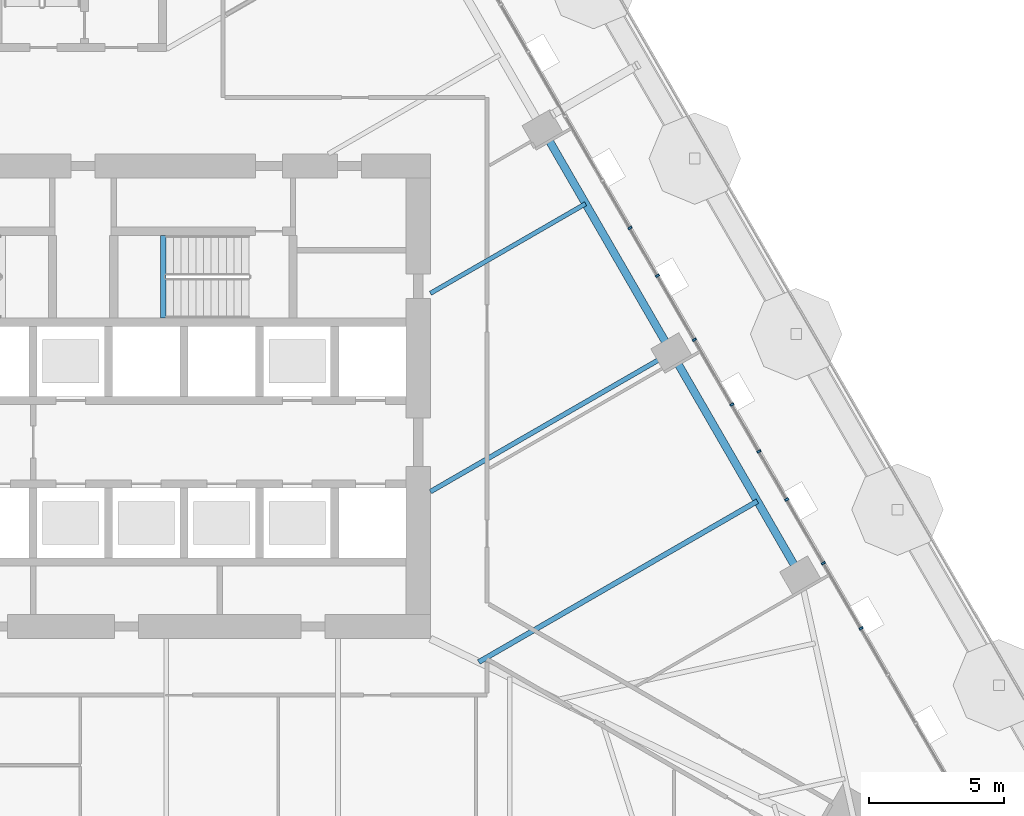
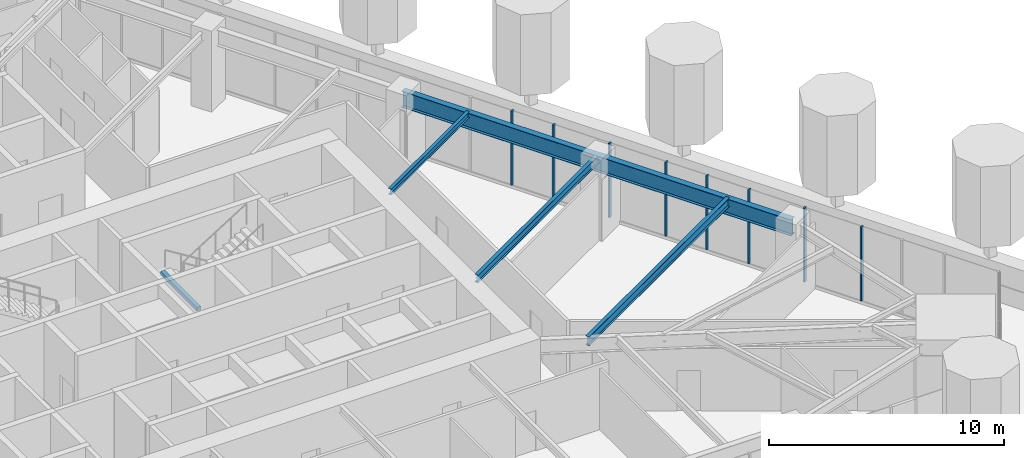
# One storey, part 6 of 26: 8 members, 5 beams, 1 element without a shape of its own.
"""IFC4 building model written with IfcOpenShell, lengths in metres."""

from ifc_helpers import new_model, si_unit, direction, frame, origin, origin_2d, place, context, subcontext, project, spatial, rectangle, i_section, extrude, material, layer, layer_set, material_profile, profile_set, type_object, element, aggregate, save


model = new_model("IFC4")

# Units and contexts
model_context = context("Model", 3, precision=1e-05, world=origin(), true_north=direction((0.0, 1.0)))
body_context = subcontext(model_context, "Body", "Model", "MODEL_VIEW")
ifc_project = project(units=[si_unit("LENGTHUNIT", "METRE"), si_unit("AREAUNIT", "SQUARE_METRE"), si_unit("VOLUMEUNIT", "CUBIC_METRE"), si_unit("PLANEANGLEUNIT", "RADIAN"), si_unit("MASSUNIT", "GRAM", prefix="KILO")], contexts=[model_context])

# Site, building, storey
site_placement = place(None, origin())
site = spatial("IfcSite", under=ifc_project, at=site_placement, CompositionType="ELEMENT")
building_placement = place(site_placement, origin())
building = spatial("IfcBuilding", under=site, at=building_placement, Name="Firuza Gate Tower and Library", CompositionType="ELEMENT")
storey_placement = place(building_placement, frame((0.0, 0.0, 52.60009765625)))
storey = spatial("IfcBuildingStorey", under=building, at=storey_placement, Name="L11", CompositionType="ELEMENT", Elevation=52.60009765625)

# Curtain wall, members
ifc_material_1 = material(Name="Aluminium 6063-T6", Category="aluminium")
ifc_layer = layer(ifc_material_1, 0.14990234375)
ifc_layer_set = layer_set([ifc_layer], Name="Unitised curtain wall, offices")
curtain_wall_type = type_object("IfcCurtainWallType", Name="Unitised curtain wall, offices", PredefinedType="NOTDEFINED", material=ifc_layer_set)
curtain_wall_placement = place(storey_placement, origin())
curtain_wall = element("IfcCurtainWall", 1, at=curtain_wall_placement, inside=storey, type_object=curtain_wall_type, Name="CW1 L11 E face", PredefinedType="NOTDEFINED")
ifc_material_2 = material(Name="Aluminium 6063-T6", Category="aluminium")
ifc_material_profile_1 = material_profile(ifc_material_2, rectangle(XDim=0.14990234375, YDim=0.080078125, at=origin_2d()))
ifc_profile_set_1 = profile_set([ifc_material_profile_1], Name="Aluminium 6063-T6")
member_type = type_object("IfcMemberType", Name="Curtain wall mullion 80x150", PredefinedType="MULLION", material=ifc_profile_set_1)
member_1_placement = place(storey_placement, frame((102.597412109375, 68.805419921875, 0.14990234375), z_axis=(0.0, 0.0, 1.0), x_axis=(-0.866025403784, -0.5, 0.0)))
member_1 = element("IfcMember", 2, at=member_1_placement, type_object=member_type, Name="Mullion", PredefinedType="MULLION", context=body_context, shape_type="SweptSolid", body=[
    extrude(rectangle(XDim=0.14990234375, YDim=0.080078125, at=origin_2d()), origin(), (0.0, 0.0, 1.0), 3.85009765625),
])
member_2_placement = place(storey_placement, frame((100.2021484375, 72.95458984375, 0.14990234375), z_axis=(0.0, 0.0, 1.0), x_axis=(-0.866025403784, -0.5, 0.0)))
member_2 = element("IfcMember", 3, at=member_2_placement, type_object=member_type, Name="Mullion", PredefinedType="MULLION", context=body_context, shape_type="SweptSolid", body=[
    extrude(rectangle(XDim=0.14990234375, YDim=0.080078125, at=origin_2d()), origin(), (0.0, 0.0, 1.0), 3.85009765625),
])
member_3_placement = place(storey_placement, frame((97.806640625, 77.103515625, 0.14990234375), z_axis=(0.0, 0.0, 1.0), x_axis=(-0.866025403784, -0.5, 0.0)))
member_3 = element("IfcMember", 4, at=member_3_placement, type_object=member_type, Name="Mullion", PredefinedType="MULLION", context=body_context, shape_type="SweptSolid", body=[
    extrude(rectangle(XDim=0.14990234375, YDim=0.080078125, at=origin_2d()), origin(), (0.0, 0.0, 1.0), 3.85009765625),
])
member_4_placement = place(storey_placement, frame((95.4111328125, 81.25244140625, 0.14990234375), z_axis=(0.0, 0.0, 1.0), x_axis=(-0.866025403784, -0.5, 0.0)))
member_4 = element("IfcMember", 5, at=member_4_placement, type_object=member_type, Name="Mullion", PredefinedType="MULLION", context=body_context, shape_type="SweptSolid", body=[
    extrude(rectangle(XDim=0.14990234375, YDim=0.080078125, at=origin_2d()), origin(), (0.0, 0.0, 1.0), 3.85009765625),
])
member_5_placement = place(storey_placement, frame((103.9970703125, 66.38134765625, 0.14990234375), z_axis=(0.0, 0.0, 1.0), x_axis=(-0.866025403784, -0.5, 0.0)))
member_5 = element("IfcMember", 6, at=member_5_placement, type_object=member_type, Name="Mullion", PredefinedType="MULLION", context=body_context, shape_type="SweptSolid", body=[
    extrude(rectangle(XDim=0.14990234375, YDim=0.080078125, at=origin_2d()), origin(), (0.0, 0.0, 1.0), 3.85009765625),
])
member_6_placement = place(storey_placement, frame((101.234619140625, 71.166015625, 0.14990234375), z_axis=(0.0, 0.0, 1.0), x_axis=(-0.866025403784, -0.5, 0.0)))
member_6 = element("IfcMember", 7, at=member_6_placement, type_object=member_type, Name="Mullion", PredefinedType="MULLION", context=body_context, shape_type="SweptSolid", body=[
    extrude(rectangle(XDim=0.14990234375, YDim=0.080078125, at=origin_2d()), origin(), (0.0, 0.0, 1.0), 3.85009765625),
])
member_7_placement = place(storey_placement, frame((99.197021484375, 74.6953125, 0.14990234375), z_axis=(0.0, 0.0, 1.0), x_axis=(-0.866025403784, -0.5, 0.0)))
member_7 = element("IfcMember", 8, at=member_7_placement, type_object=member_type, Name="Mullion", PredefinedType="MULLION", context=body_context, shape_type="SweptSolid", body=[
    extrude(rectangle(XDim=0.14990234375, YDim=0.080078125, at=origin_2d()), origin(), (0.0, 0.0, 1.0), 3.85009765625),
])
member_8_placement = place(storey_placement, frame((96.4345703125, 79.47998046875, 0.14990234375), z_axis=(0.0, 0.0, 1.0), x_axis=(-0.866025403784, -0.5, 0.0)))
member_8 = element("IfcMember", 9, at=member_8_placement, type_object=member_type, Name="Mullion", PredefinedType="MULLION", context=body_context, shape_type="SweptSolid", body=[
    extrude(rectangle(XDim=0.14990234375, YDim=0.080078125, at=origin_2d()), origin(), (0.0, 0.0, 1.0), 3.85009765625),
])
aggregate(curtain_wall, [member_1, member_2, member_3, member_4, member_5, member_6, member_7, member_8])

# Beams
ifc_material_3 = material(Name="Concrete C35/45", Category="concrete")
ifc_material_profile_2 = material_profile(ifc_material_3, rectangle(XDim=0.199951171875, YDim=0.199951171875, at=origin_2d()))
ifc_profile_set_2 = profile_set([ifc_material_profile_2], Name="Concrete C35/45")
beam_type_1 = type_object("IfcBeamType", Name="Stair landing bearer 200x200", PredefinedType="BEAM", material=ifc_profile_set_2)
beam_1_placement = place(storey_placement, frame((78.080078125, 80.97998046875, 1.7998046875), z_axis=(0.0, -1.0, 0.0), x_axis=(1.0, 0.0, 0.0)))
element("IfcBeam", 10, at=beam_1_placement, inside=storey, type_object=beam_type_1, Name="Landing bearer L11 stair 2", PredefinedType="BEAM", context=body_context, shape_type="SweptSolid", body=[
    extrude(rectangle(XDim=0.199951171875, YDim=0.199951171875, at=origin_2d()), origin(), (0.0, 0.0, 1.0), 3.080078125),
])
ifc_material_4 = material(Name="Steel S355", Category="steel")
ifc_material_profile_3 = material_profile(ifc_material_4, i_section(OverallWidth=0.1650390625, OverallDepth=0.31005859375, WebThickness=0.005859375, FlangeThickness=0.009765625, at=origin_2d()))
ifc_profile_set_3 = profile_set([ifc_material_profile_3], Name="Steel S355")
beam_type_2 = type_object("IfcBeamType", Name="W310x39 Floor beam", PredefinedType="JOIST", material=ifc_profile_set_3)
beam_2_placement = place(storey_placement, frame((93.765869140625, 82.152099609375, 3.844970703125), z_axis=(-0.866029870483, -0.499992263371, 0.0), x_axis=(0.499992263371, -0.866029870483, 0.0)))
element("IfcBeam", 11, at=beam_2_placement, inside=storey, type_object=beam_type_2, Name="Floor beam L11 s52", PredefinedType="JOIST", context=body_context, shape_type="SweptSolid", body=[
    extrude(i_section(OverallWidth=0.1650390625, OverallDepth=0.31005859375, WebThickness=0.005859375, FlangeThickness=0.009765625, at=origin_2d()), origin(), (0.0, 0.0, 1.0), 6.65771484375),
])
ifc_material_5 = material(Name="Steel S355", Category="steel")
ifc_material_profile_4 = material_profile(ifc_material_5, i_section(OverallWidth=0.177978515625, OverallDepth=0.406982421875, WebThickness=0.0078125, FlangeThickness=0.0126953125, at=origin_2d()))
ifc_profile_set_4 = profile_set([ifc_material_profile_4], Name="Steel S355")
beam_type_3 = type_object("IfcBeamType", Name="W410x60 Floor beam", PredefinedType="JOIST", material=ifc_profile_set_4)
beam_3_placement = place(storey_placement, frame((96.955078125, 76.62841796875, 3.79638671875), z_axis=(-0.866027528992, -0.499996319015, 0.0), x_axis=(0.499996319015, -0.866027528992, 0.0)))
element("IfcBeam", 12, at=beam_3_placement, inside=storey, type_object=beam_type_3, Name="Floor beam L11 s51", PredefinedType="JOIST", context=body_context, shape_type="SweptSolid", body=[
    extrude(i_section(OverallWidth=0.177978515625, OverallDepth=0.406982421875, WebThickness=0.0078125, FlangeThickness=0.0126953125, at=origin_2d()), origin(), (0.0, 0.0, 1.0), 10.34033203125),
])
ifc_material_6 = material(Name="Steel S355", Category="steel")
ifc_material_profile_5 = material_profile(ifc_material_6, i_section(OverallWidth=0.18994140625, OverallDepth=0.45703125, WebThickness=0.009033203125, FlangeThickness=0.014404296875, at=origin_2d()))
ifc_profile_set_5 = profile_set([ifc_material_profile_5], Name="Steel S355")
beam_type_4 = type_object("IfcBeamType", Name="W460x74 Floor beam", PredefinedType="JOIST", material=ifc_profile_set_5)
beam_4_placement = place(storey_placement, frame((100.14404296875, 71.104736328125, 3.771484375), z_axis=(-0.866022587882, -0.500004877254, 0.0), x_axis=(0.500004877254, -0.866022587882, 0.0)))
element("IfcBeam", 13, at=beam_4_placement, inside=storey, type_object=beam_type_4, Name="Floor beam L11 s50", PredefinedType="JOIST", context=body_context, shape_type="SweptSolid", body=[
    extrude(i_section(OverallWidth=0.18994140625, OverallDepth=0.45703125, WebThickness=0.009033203125, FlangeThickness=0.014404296875, at=origin_2d()), origin(), (0.0, 0.0, 1.0), 11.94775390625),
])
ifc_material_7 = material(Name="Steel S355", Category="steel")
ifc_material_profile_6 = material_profile(ifc_material_7, i_section(OverallWidth=0.2919921875, OverallDepth=0.8349609375, WebThickness=0.013916015625, FlangeThickness=0.018798828125, at=origin_2d()))
ifc_profile_set_6 = profile_set([ifc_material_profile_6], Name="Steel S355")
beam_type_5 = type_object("IfcBeamType", Name="W840x176 Edge beam", PredefinedType="SPANDREL", material=ifc_profile_set_6)
beam_5_placement = place(storey_placement, frame((101.73876953125, 68.343017578125, 3.58251953125), z_axis=(-0.500008878765, 0.866020277567, 0.0), x_axis=(-0.866020277567, -0.500008878765, 0.0)))
element("IfcBeam", 14, at=beam_5_placement, inside=storey, type_object=beam_type_5, Name="Edge beam L11 e50", PredefinedType="SPANDREL", context=body_context, shape_type="SweptSolid", body=[
    extrude(i_section(OverallWidth=0.2919921875, OverallDepth=0.8349609375, WebThickness=0.013916015625, FlangeThickness=0.018798828125, at=origin_2d()), origin(), (0.0, 0.0, 1.0), 19.134521484375),
])

save(model, "model.ifc")
